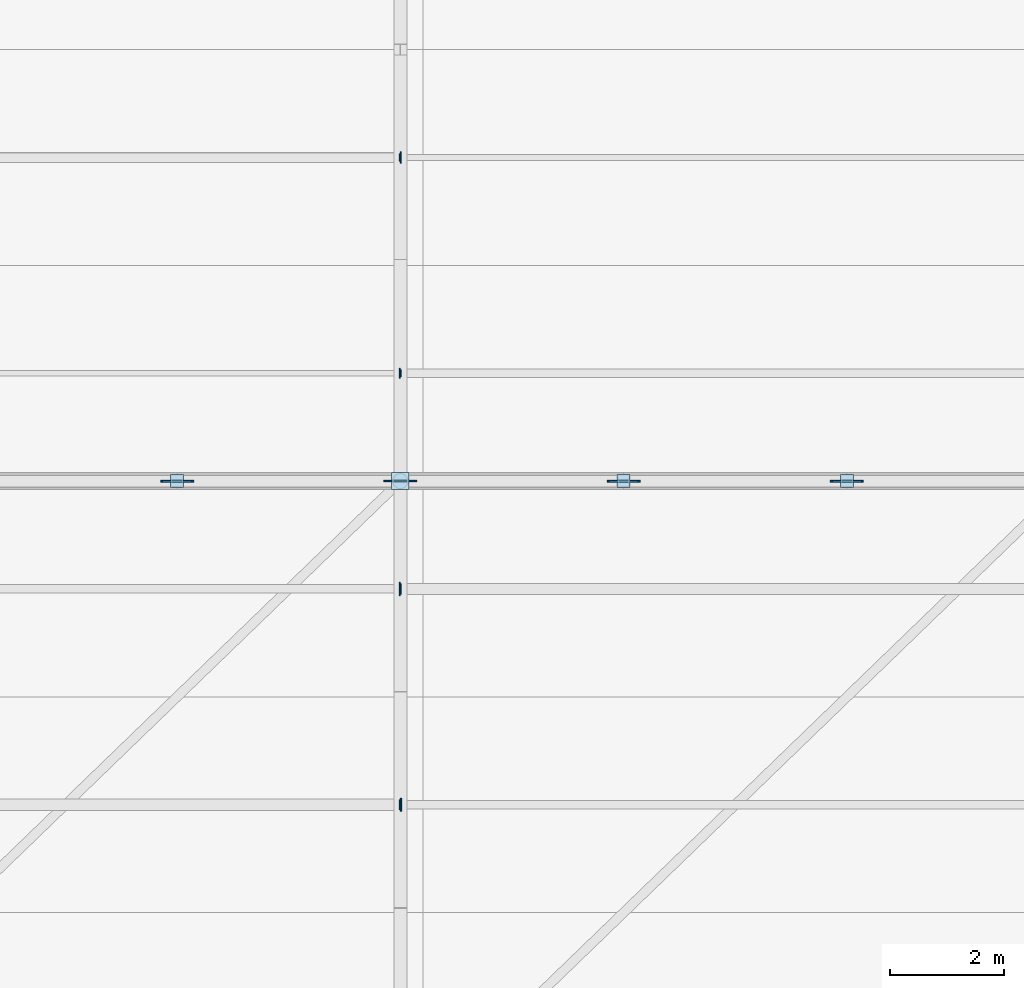
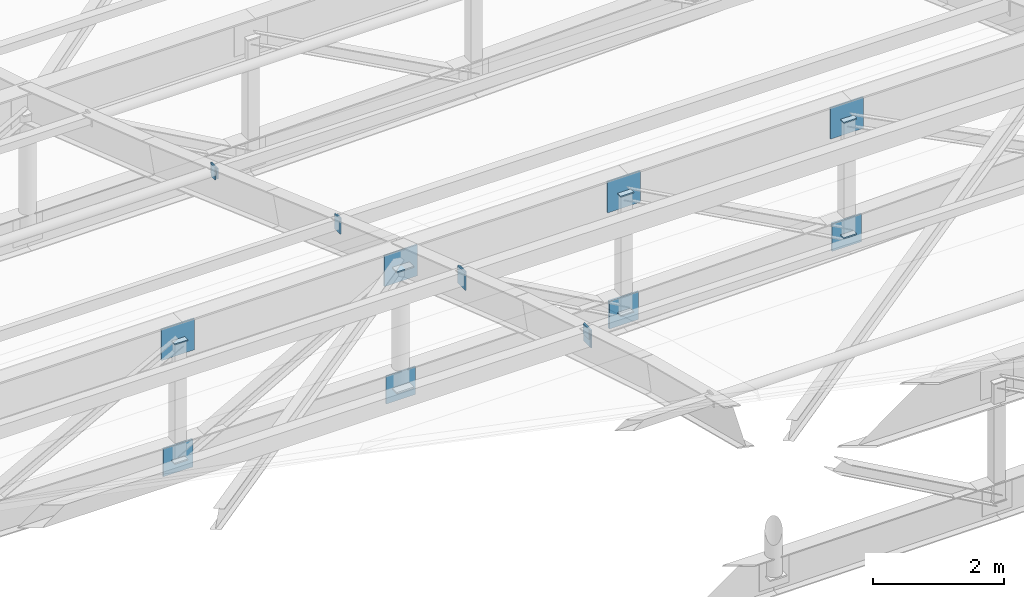
# One storey, part 41 of 65: 24 plates.
"""IFC4 building model written with IfcOpenShell, lengths in metres."""

from ifc_helpers import new_model, si_unit, direction, frame, origin, origin_2d, place, context, subcontext, project, spatial, rectangle, extrude, material, layer, layer_set, type_object, element, save


model = new_model("IFC4")

# Units and contexts
model_context = context("Model", 3, precision=1e-05, world=origin(), true_north=direction((0.0, 1.0)))
body_context = subcontext(model_context, "Body", "Model", "MODEL_VIEW")
ifc_project = project(units=[si_unit("LENGTHUNIT", "METRE"), si_unit("AREAUNIT", "SQUARE_METRE"), si_unit("VOLUMEUNIT", "CUBIC_METRE"), si_unit("PLANEANGLEUNIT", "RADIAN"), si_unit("MASSUNIT", "GRAM", prefix="KILO"), si_unit("POWERUNIT", "WATT"), si_unit("THERMODYNAMICTEMPERATUREUNIT", "KELVIN")], contexts=[model_context])

# Site, building, storey
site_placement = place(None, origin())
site = spatial("IfcSite", under=ifc_project, at=site_placement, CompositionType="ELEMENT")
building_placement = place(site_placement, origin())
building = spatial("IfcBuilding", under=site, at=building_placement, Name="Kelmbourne Parkland Aquatics Centre", CompositionType="ELEMENT")
storey_placement = place(building_placement, frame((0.0, 0.0, 27.0)))
storey = spatial("IfcBuildingStorey", under=building, at=storey_placement, Name="RF", CompositionType="ELEMENT", Elevation=27.0)

# Plates
ifc_material = material(Name="Welded plate steel AS/NZS 3678 Grade 350", Category="steel")
ifc_layer_1 = layer(ifc_material, 0.02001953125)
ifc_layer_set_1 = layer_set([ifc_layer_1], Name="Welded plate steel AS/NZS 3678 Grade 350")
plate_type_1 = type_object("IfcPlateType", Name="PL-CAP-20", PredefinedType="USERDEFINED", material=ifc_layer_set_1)
for number, where, z_axis, x_axis, name in (
    (1, (147.666748046875, 23.60009765625, -7.7880859375), (0.0, 0.0, 1.0), (1.0, 0.0, 0.0), "Hollow end cap plate CAP-0077"),
    (2, (147.666748046875, 23.60009765625, -5.563720703125), (0.0, 0.0, 1.0), (1.0, 0.0, 0.0), "Hollow end cap plate CAP-0078"),
    (3, (155.533203125, 23.60009765625, -7.7880859375), (0.0, 0.0, 1.0), (1.0, 0.0, 0.0), "Hollow end cap plate CAP-0081"),
    (4, (155.533203125, 23.60009765625, -5.563720703125), (0.0, 0.0, 1.0), (1.0, 0.0, 0.0), "Hollow end cap plate CAP-0082"),
    (5, (159.466796875, 23.60009765625, -7.71728515625), (0.0, 0.0, 1.0), (1.0, 0.0, 0.0), "Hollow end cap plate CAP-0083"),
    (6, (159.466796875, 23.60009765625, -5.563720703125), (0.0, 0.0, 1.0), (1.0, 0.0, 0.0), "Hollow end cap plate CAP-0084"),
):
    element("IfcPlate", number, at=place(storey_placement, frame(where, z_axis=z_axis, x_axis=x_axis)), inside=storey, type_object=plate_type_1, Name=name, ObjectType="END CAP PLATE", PredefinedType="USERDEFINED", context=body_context, shape_type="SweptSolid", body=[
        extrude(rectangle(XDim=0.22998046875, YDim=0.22998046875, at=origin_2d()), origin(), (0.0, 0.0, 1.0), 0.02001953125),
    ])
plate_1_placement = place(storey_placement, frame((151.591064453125, 17.89990234375, -3.43017578125), z_axis=(0.0, 0.0, 1.0), x_axis=(-1.0, 0.0, 0.0)))
element("IfcPlate", 7, at=plate_1_placement, inside=storey, type_object=plate_type_1, Name="Hollow end cap plate CAP-0337", ObjectType="END CAP PLATE", PredefinedType="USERDEFINED", context=body_context, shape_type="SweptSolid", body=[
    extrude(rectangle(XDim=0.02001953125, YDim=0.179931640625, at=origin_2d()), origin(), (0.0, 0.0, 1.0), 0.179931640625),
])
plate_2_placement = place(storey_placement, frame((151.60888671875, 21.699951171875, -4.7529296875), z_axis=(0.0, 0.0, 1.0), x_axis=(1.0, 0.0, 0.0)))
element("IfcPlate", 8, at=plate_2_placement, inside=storey, type_object=plate_type_1, Name="Hollow end cap plate CAP-0344", ObjectType="END CAP PLATE", PredefinedType="USERDEFINED", context=body_context, shape_type="SweptSolid", body=[
    extrude(rectangle(XDim=0.02001953125, YDim=0.179931640625, at=origin_2d()), origin(), (0.0, 0.0, 1.0), 0.280029296875),
])
plate_3_placement = place(storey_placement, frame((151.60888671875, 25.5, -6.0263671875), z_axis=(0.0, 0.0, 1.0), x_axis=(1.0, 0.0, 0.0)))
element("IfcPlate", 9, at=plate_3_placement, inside=storey, type_object=plate_type_1, Name="Hollow end cap plate CAP-0352", ObjectType="END CAP PLATE", PredefinedType="USERDEFINED", context=body_context, shape_type="SweptSolid", body=[
    extrude(rectangle(XDim=0.02001953125, YDim=0.1298828125, at=origin_2d()), origin(), (0.0, 0.0, 1.0), 0.22998046875),
])
plate_4_placement = place(storey_placement, frame((151.591064453125, 25.5, -6.076171875), z_axis=(0.0, 0.0, 1.0), x_axis=(-1.0, 0.0, 0.0)))
element("IfcPlate", 10, at=plate_4_placement, inside=storey, type_object=plate_type_1, Name="Hollow end cap plate CAP-0353", ObjectType="END CAP PLATE", PredefinedType="USERDEFINED", context=body_context, shape_type="SweptSolid", body=[
    extrude(rectangle(XDim=0.02001953125, YDim=0.179931640625, at=origin_2d()), origin(), (0.0, 0.0, 1.0), 0.280029296875),
])
plate_5_placement = place(storey_placement, frame((151.60888671875, 29.300048828125, -7.35205078125), z_axis=(0.0, 0.0, 1.0), x_axis=(1.0, 0.0, 0.0)))
element("IfcPlate", 11, at=plate_5_placement, inside=storey, type_object=plate_type_1, Name="Hollow end cap plate CAP-0360", ObjectType="END CAP PLATE", PredefinedType="USERDEFINED", context=body_context, shape_type="SweptSolid", body=[
    extrude(rectangle(XDim=0.02001953125, YDim=0.1982421875, at=origin_2d()), origin(), (0.0, 0.0, 1.0), 0.1982421875),
])
plate_6_placement = place(storey_placement, frame((151.591064453125, 29.300048828125, -7.3837890625), z_axis=(0.0, 0.0, 1.0), x_axis=(-1.0, 0.0, 0.0)))
element("IfcPlate", 12, at=plate_6_placement, inside=storey, type_object=plate_type_1, Name="Hollow end cap plate CAP-0361", ObjectType="END CAP PLATE", PredefinedType="USERDEFINED", context=body_context, shape_type="SweptSolid", body=[
    extrude(rectangle(XDim=0.02001953125, YDim=0.1298828125, at=origin_2d()), origin(), (0.0, 0.0, 1.0), 0.22998046875),
])
ifc_layer_2 = layer(ifc_material, 0.02392578125)
ifc_layer_set_2 = layer_set([ifc_layer_2], Name="Welded plate steel AS/NZS 3678 Grade 350")
plate_type_2 = type_object("IfcPlateType", Name="PL-CAP-24", PredefinedType="USERDEFINED", material=ifc_layer_set_2)
for number, where, z_axis, x_axis, name in (
    (13, (151.60009765625, 23.60009765625, -7.815673828125), (0.0, 0.0, 1.0), (1.0, 0.0, 0.0), "Hollow end cap plate CAP-0079"),
    (14, (151.60009765625, 23.60009765625, -5.5634765625), (0.0, 0.0, 1.0), (1.0, 0.0, 0.0), "Hollow end cap plate CAP-0080"),
):
    element("IfcPlate", number, at=place(storey_placement, frame(where, z_axis=z_axis, x_axis=x_axis)), inside=storey, type_object=plate_type_2, Name=name, ObjectType="END CAP PLATE", PredefinedType="USERDEFINED", context=body_context, shape_type="SweptSolid", body=[
        extrude(rectangle(XDim=0.302978515625, YDim=0.302978515625, at=origin_2d()), origin(), (0.0, 0.0, 1.0), 0.02392578125),
    ])
for number, where, z_axis, x_axis, name in (
    (15, (151.611083984375, 17.89990234375, -3.580078125), (0.0, 0.0, 1.0), (1.0, 0.0, 0.0), "Hollow end cap plate CAP-0336"),
    (16, (151.589111328125, 21.699951171875, -4.802978515625), (0.0, 0.0, 1.0), (-1.0, 0.0, 0.0), "Hollow end cap plate CAP-0345"),
):
    element("IfcPlate", number, at=place(storey_placement, frame(where, z_axis=z_axis, x_axis=x_axis)), inside=storey, type_object=plate_type_2, Name=name, ObjectType="END CAP PLATE", PredefinedType="USERDEFINED", context=body_context, shape_type="SweptSolid", body=[
        extrude(rectangle(XDim=0.02392578125, YDim=0.22998046875, at=origin_2d()), origin(), (0.0, 0.0, 1.0), 0.330078125),
    ])
ifc_layer_3 = layer(ifc_material, 0.02490234375)
ifc_layer_set_3 = layer_set([ifc_layer_3], Name="Welded plate steel AS/NZS 3678 Grade 350")
plate_type_3 = type_object("IfcPlateType", Name="PL-GUS-2", PredefinedType="USERDEFINED", material=ifc_layer_set_3)
plate_7_placement = place(storey_placement, frame((151.60009765625, 23.60009765625, -5.8525390625), z_axis=(0.0, 0.0, 1.0), x_axis=(1.0, 0.0, 0.0)))
element("IfcPlate", 17, at=plate_7_placement, inside=storey, type_object=plate_type_3, Name="Truss top node TN-2 gusset plate R02-N6", ObjectType="GUSSET PLATE", PredefinedType="USERDEFINED", context=body_context, shape_type="SweptSolid", body=[
    extrude(rectangle(XDim=0.580078125, YDim=0.02490234375, at=origin_2d()), origin(), (0.0, 0.0, 1.0), 0.580078125),
])
plate_8_placement = place(storey_placement, frame((151.60009765625, 23.60009765625, -8.052490234375), z_axis=(0.0, 0.0, 1.0), x_axis=(1.0, 0.0, 0.0)))
element("IfcPlate", 18, at=plate_8_placement, inside=storey, type_object=plate_type_3, Name="Truss bottom node TN-2 gusset plate R02-B6", ObjectType="GUSSET PLATE", PredefinedType="USERDEFINED", context=body_context, shape_type="SweptSolid", body=[
    extrude(rectangle(XDim=0.52001953125, YDim=0.02490234375, at=origin_2d()), origin(), (0.0, 0.0, 1.0), 0.52001953125),
])
ifc_layer_4 = layer(ifc_material, 0.031982421875)
ifc_layer_set_4 = layer_set([ifc_layer_4], Name="Welded plate steel AS/NZS 3678 Grade 350")
plate_type_4 = type_object("IfcPlateType", Name="PL-GUS-3", PredefinedType="USERDEFINED", material=ifc_layer_set_4)
plate_9_placement = place(storey_placement, frame((147.666748046875, 23.60009765625, -5.8525390625), z_axis=(0.0, 0.0, 1.0), x_axis=(1.0, 0.0, 0.0)))
element("IfcPlate", 19, at=plate_9_placement, inside=storey, type_object=plate_type_4, Name="Truss top node TN-3 gusset plate R02-N5", ObjectType="GUSSET PLATE", PredefinedType="USERDEFINED", context=body_context, shape_type="SweptSolid", body=[
    extrude(rectangle(XDim=0.580078125, YDim=0.031982421875, at=origin_2d()), origin(), (0.0, 0.0, 1.0), 0.580078125),
])
plate_10_placement = place(storey_placement, frame((147.666748046875, 23.60009765625, -8.029052734375), z_axis=(0.0, 0.0, 1.0), x_axis=(1.0, 0.0, 0.0)))
element("IfcPlate", 20, at=plate_10_placement, inside=storey, type_object=plate_type_4, Name="Truss bottom node TN-3 gusset plate R02-B5", ObjectType="GUSSET PLATE", PredefinedType="USERDEFINED", context=body_context, shape_type="SweptSolid", body=[
    extrude(rectangle(XDim=0.52001953125, YDim=0.031982421875, at=origin_2d()), origin(), (0.0, 0.0, 1.0), 0.52001953125),
])
plate_11_placement = place(storey_placement, frame((155.533203125, 23.60009765625, -5.8525390625), z_axis=(0.0, 0.0, 1.0), x_axis=(1.0, 0.0, 0.0)))
element("IfcPlate", 21, at=plate_11_placement, inside=storey, type_object=plate_type_4, Name="Truss top node TN-3 gusset plate R02-N7", ObjectType="GUSSET PLATE", PredefinedType="USERDEFINED", context=body_context, shape_type="SweptSolid", body=[
    extrude(rectangle(XDim=0.580078125, YDim=0.031982421875, at=origin_2d()), origin(), (0.0, 0.0, 1.0), 0.580078125),
])
plate_12_placement = place(storey_placement, frame((155.533203125, 23.60009765625, -8.029052734375), z_axis=(0.0, 0.0, 1.0), x_axis=(1.0, 0.0, 0.0)))
element("IfcPlate", 22, at=plate_12_placement, inside=storey, type_object=plate_type_4, Name="Truss bottom node TN-3 gusset plate R02-B7", ObjectType="GUSSET PLATE", PredefinedType="USERDEFINED", context=body_context, shape_type="SweptSolid", body=[
    extrude(rectangle(XDim=0.52001953125, YDim=0.031982421875, at=origin_2d()), origin(), (0.0, 0.0, 1.0), 0.52001953125),
])
plate_13_placement = place(storey_placement, frame((159.466796875, 23.60009765625, -5.8525390625), z_axis=(0.0, 0.0, 1.0), x_axis=(1.0, 0.0, 0.0)))
element("IfcPlate", 23, at=plate_13_placement, inside=storey, type_object=plate_type_4, Name="Truss top node TN-3 gusset plate R02-N8", ObjectType="GUSSET PLATE", PredefinedType="USERDEFINED", context=body_context, shape_type="SweptSolid", body=[
    extrude(rectangle(XDim=0.580078125, YDim=0.031982421875, at=origin_2d()), origin(), (0.0, 0.0, 1.0), 0.580078125),
])
plate_14_placement = place(storey_placement, frame((159.466796875, 23.60009765625, -7.958251953125), z_axis=(0.0, 0.0, 1.0), x_axis=(1.0, 0.0, 0.0)))
element("IfcPlate", 24, at=plate_14_placement, inside=storey, type_object=plate_type_4, Name="Truss bottom node TN-3 gusset plate R02-B8", ObjectType="GUSSET PLATE", PredefinedType="USERDEFINED", context=body_context, shape_type="SweptSolid", body=[
    extrude(rectangle(XDim=0.52001953125, YDim=0.031982421875, at=origin_2d()), origin(), (0.0, 0.0, 1.0), 0.52001953125),
])

save(model, "model.ifc")
